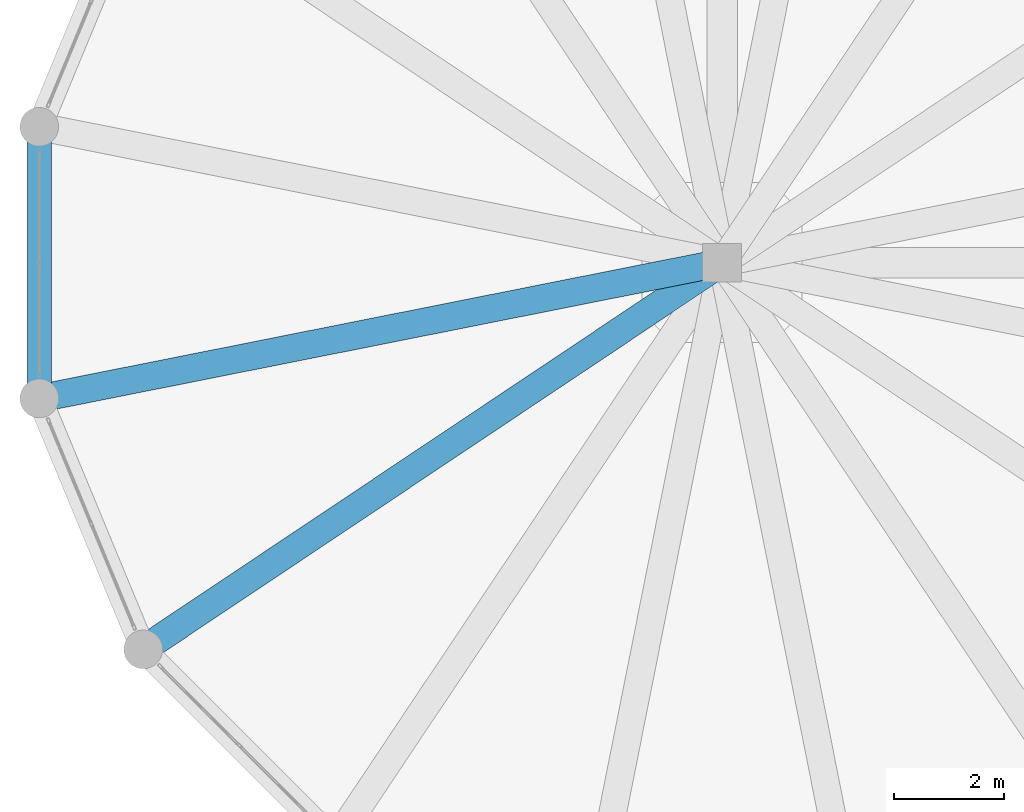
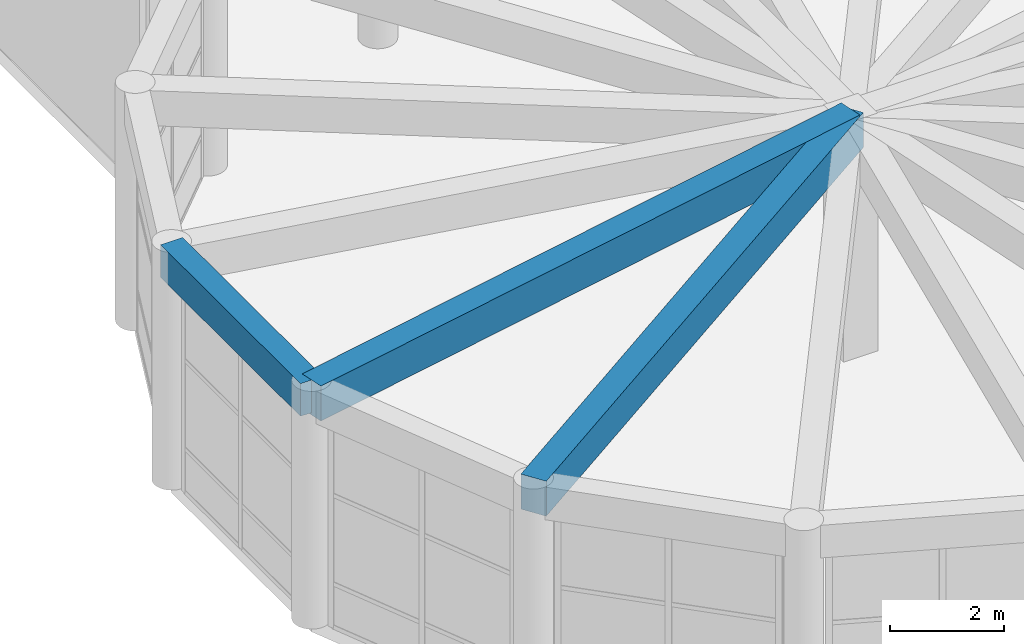
# One storey, part 8 of 95: 3 beams.
"""IFC4 building model written with IfcOpenShell, lengths in metres."""

from ifc_helpers import new_model, si_unit, direction, frame, origin, origin_2d, place, context, subcontext, project, spatial, rectangle, extrude, material, material_profile, profile_set, type_object, element, save


model = new_model("IFC4")

# Units and contexts
model_context = context("Model", 3, precision=1e-05, world=origin(), true_north=direction((0.0, 1.0)))
body_context = subcontext(model_context, "Body", "Model", "MODEL_VIEW")
ifc_project = project(units=[si_unit("LENGTHUNIT", "METRE"), si_unit("AREAUNIT", "SQUARE_METRE"), si_unit("VOLUMEUNIT", "CUBIC_METRE"), si_unit("PLANEANGLEUNIT", "RADIAN"), si_unit("MASSUNIT", "GRAM", prefix="KILO")], contexts=[model_context])

# Site, building, storey
site_placement = place(None, origin())
site = spatial("IfcSite", under=ifc_project, at=site_placement, CompositionType="ELEMENT")
building_placement = place(site_placement, origin())
building = spatial("IfcBuilding", under=site, at=building_placement, Name="Almacenes y Pasaje Nevantli", CompositionType="ELEMENT")
storey_placement = place(building_placement, frame((0.0, 0.0, 11.39990234375)))
storey = spatial("IfcBuildingStorey", under=building, at=storey_placement, Name="L03", CompositionType="ELEMENT", Elevation=11.39990234375)

# Beams
ifc_material_1 = material(Name="Concrete C35/45", Category="concrete")
ifc_material_profile_1 = material_profile(ifc_material_1, rectangle(XDim=0.449951171875, YDim=0.699951171875, at=origin_2d()), Name="RC-BM-450x700")
ifc_profile_set_1 = profile_set([ifc_material_profile_1], Name="Concrete C35/45")
beam_type_1 = type_object("IfcBeamType", Name="BM-RC-450x700", PredefinedType="SPANDREL", material=ifc_profile_set_1)
beam_1_placement = place(storey_placement, frame((-3.9580078125, 10.858154296875, 4.75), z_axis=(0.0, -1.0, 0.0), x_axis=(1.0, 0.0, 0.0)))
element("IfcBeam", 1, at=beam_1_placement, inside=storey, type_object=beam_type_1, Name="L03 Rotunda Ring Spandrel Beam #8", PredefinedType="SPANDREL", context=body_context, shape_type="SweptSolid", body=[
    extrude(rectangle(XDim=0.449951171875, YDim=0.699951171875, at=origin_2d()), origin(), (0.0, 0.0, 1.0), 4.916259765625),
])
ifc_material_2 = material(Name="Concrete C35/45", Category="concrete")
ifc_material_profile_2 = material_profile(ifc_material_2, rectangle(XDim=0.5, YDim=0.75, at=origin_2d()), Name="RC-BM-500x750")
ifc_profile_set_2 = profile_set([ifc_material_profile_2], Name="Concrete C35/45")
beam_type_2 = type_object("IfcBeamType", Name="BM-RC-500x750", PredefinedType="BEAM", material=ifc_profile_set_2)
beam_2_placement = place(storey_placement, frame((8.39990234375, 8.39990234375, 4.72509765625), z_axis=(-0.980787305424, -0.195080141274, 0.0), x_axis=(0.195080141274, -0.980787305424, 0.0)))
element("IfcBeam", 2, at=beam_2_placement, inside=storey, type_object=beam_type_2, Name="L03 Rotunda Radial Girder #9", PredefinedType="BEAM", context=body_context, shape_type="SweptSolid", body=[
    extrude(rectangle(XDim=0.5, YDim=0.75, at=origin_2d()), origin(), (0.0, 0.0, 1.0), 12.60009765625),
])
beam_3_placement = place(storey_placement, frame((8.39990234375, 8.39990234375, 4.72509765625), z_axis=(-0.831471523588, -0.555567372569, 0.0), x_axis=(0.555567372569, -0.831471523588, 0.0)))
element("IfcBeam", 3, at=beam_3_placement, inside=storey, type_object=beam_type_2, Name="L03 Rotunda Radial Girder #10", PredefinedType="BEAM", context=body_context, shape_type="SweptSolid", body=[
    extrude(rectangle(XDim=0.5, YDim=0.75, at=origin_2d()), origin(), (0.0, 0.0, 1.0), 12.599853515625),
])

save(model, "model.ifc")
